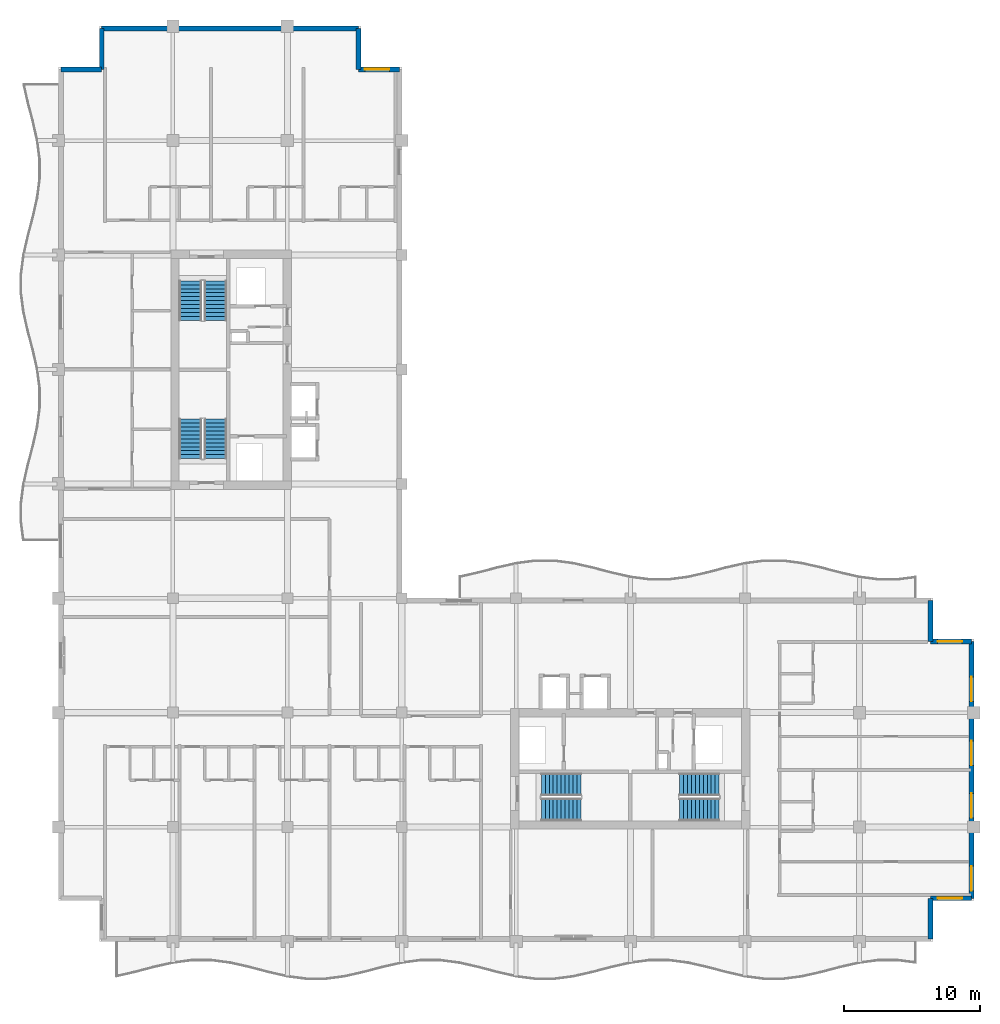
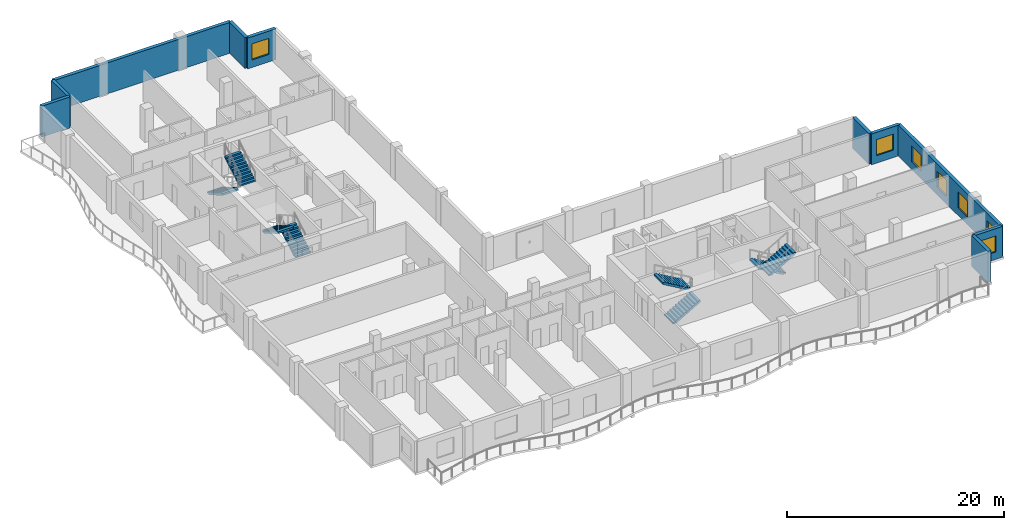
# One storey, part 8 of 12: 10 walls, 8 stair flights, 7 windows, 7 openings, 4 elements without a shape of their own.
"""IFC4 building model written with IfcOpenShell, lengths in metres."""

from ifc_helpers import new_model, si_unit, direction, frame, frame_2d, origin, place, context, subcontext, project, spatial, polyline, rectangle, outline, extrude, material, layer, layer_set, type_object, element, fill, aggregate, save


model = new_model("IFC4")

# Units and contexts
model_context = context("Model", 3, precision=1e-05, world=origin(), true_north=direction((0.0, 1.0)))
body_context = subcontext(model_context, "Body", "Model", "MODEL_VIEW")
ifc_project = project(units=[si_unit("LENGTHUNIT", "METRE"), si_unit("AREAUNIT", "SQUARE_METRE"), si_unit("VOLUMEUNIT", "CUBIC_METRE"), si_unit("PLANEANGLEUNIT", "RADIAN"), si_unit("MASSUNIT", "GRAM", prefix="KILO")], contexts=[model_context])

# Site, building, storey
site_placement = place(None, origin())
site = spatial("IfcSite", under=ifc_project, at=site_placement, CompositionType="ELEMENT")
building_placement = place(site_placement, origin())
building = spatial("IfcBuilding", under=site, at=building_placement, Name="Koriwani Terraces Tower", CompositionType="ELEMENT")
storey_placement = place(building_placement, frame((0.0, 0.0, 278.60009765625)))
storey = spatial("IfcBuildingStorey", under=building, at=storey_placement, Name="L69", CompositionType="ELEMENT", Elevation=278.60009765625)

# Walls
ifc_material_1 = material(Name="Concrete C50/60", Category="concrete")
ifc_layer = layer(ifc_material_1, 0.35009765625, Name="Concrete C50/60")
ifc_layer_set = layer_set([ifc_layer], Name="Concrete C50/60")
wall_type = type_object("IfcWallType", Name="WALL_EXT_BRUTALIST_350", PredefinedType="STANDARD", material=ifc_layer_set)
for number, where, z_axis, x_axis, name in (
    (1, (8.574951171875, 72.425048828125, 0.0), (0.0, 0.0, 1.0), (1.0, 0.0, 0.0), "L69 Fair-Faced Brutalist Exterior Wall (N3)"),
    (2, (11.574951171875, 72.425048828125, 0.0), (0.0, 0.0, 1.0), (0.0, 1.0, 0.0), "L69 Fair-Faced Brutalist Exterior Wall (N4)"),
):
    element("IfcWall", number, at=place(storey_placement, frame(where, z_axis=z_axis, x_axis=x_axis)), inside=storey, type_object=wall_type, Name=name, PredefinedType="STANDARD", context=body_context, shape_type="SweptSolid", body=[
        extrude(rectangle(XDim=3.0, YDim=0.35009765625, at=frame_2d((1.5, 0.0))), origin(), (0.0, 0.0, 1.0), 3.469970703125),
    ])
wall_1_placement = place(storey_placement, frame((11.574951171875, 75.425048828125, 0.0), z_axis=(0.0, 0.0, 1.0), x_axis=(1.0, 0.0, 0.0)))
element("IfcWall", 3, at=wall_1_placement, inside=storey, type_object=wall_type, Name="L69 Fair-Faced Brutalist Exterior Wall (N_TIP)", PredefinedType="STANDARD", context=body_context, shape_type="SweptSolid", body=[
    extrude(rectangle(XDim=18.85009765625, YDim=0.35009765625, at=frame_2d((9.425048828125, 0.0))), origin(), (0.0, 0.0, 1.0), 3.469970703125),
])
wall_2_placement = place(storey_placement, frame((30.425048828125, 75.425048828125, 0.0), z_axis=(0.0, 0.0, 1.0), x_axis=(0.0, -1.0, 0.0)))
element("IfcWall", 4, at=wall_2_placement, inside=storey, type_object=wall_type, Name="L69 Fair-Faced Brutalist Exterior Wall (N6)", PredefinedType="STANDARD", context=body_context, shape_type="SweptSolid", body=[
    extrude(rectangle(XDim=3.0, YDim=0.35009765625, at=frame_2d((1.5, 0.0))), origin(), (0.0, 0.0, 1.0), 3.469970703125),
])

# Wall, opening, window
wall_3_placement = place(storey_placement, frame((30.425048828125, 72.425048828125, 0.0), z_axis=(0.0, 0.0, 1.0), x_axis=(1.0, 0.0, 0.0)))
wall_3 = element("IfcWall", 5, at=wall_3_placement, inside=storey, type_object=wall_type, Name="L69 Fair-Faced Brutalist Exterior Wall (N7)", PredefinedType="STANDARD", context=body_context, shape_type="SweptSolid", body=[
    extrude(rectangle(XDim=3.0, YDim=0.35009765625, at=frame_2d((1.5, 0.0))), origin(), (0.0, 0.0, 1.0), 3.469970703125),
])
opening_1_placement = place(wall_3_placement, frame((0.472412109375, 0.0, 0.85009765625)))
opening_1 = element("IfcOpeningElement", 6, at=opening_1_placement, cuts=wall_3, Name="Opening W-04", PredefinedType="OPENING", context=body_context, shape_type="SweptSolid", body=[
    extrude(rectangle(XDim=1.800048828125, YDim=1.800048828125, at=frame_2d((0.89990234375, 0.89990234375))), frame((0.0, 0.18505859375, 0.0), z_axis=(0.0, -1.0, 0.0), x_axis=(1.0, 0.0, 0.0)), (0.0, 0.0, 1.0), 0.3701171875),
])
ifc_material_2 = material(Name="Tempered Laminated Low-E Glass", Category="glass")
window_type = type_object("IfcWindowType", Name="WIN_RES_BED_1800X1800", PartitioningType="DOUBLE_PANEL_VERTICAL", PredefinedType="WINDOW", material=ifc_material_2)
window_1_placement = place(opening_1_placement, origin())
window_1 = element("IfcWindow", 7, at=window_1_placement, inside=storey, type_object=window_type, Name="L69 Exterior Window (N7-R55)", OverallHeight=1.800048828125, OverallWidth=1.800048828125, PartitioningType="SINGLE_PANEL", PredefinedType="WINDOW", context=body_context, shape_type="SweptSolid", body=[
    extrude(rectangle(XDim=1.800048828125, YDim=1.800048828125, at=frame_2d((0.89990234375, 0.89990234375))), frame((0.0, 0.030029296875, 0.0), z_axis=(0.0, -1.0, 0.0), x_axis=(1.0, 0.0, 0.0)), (0.0, 0.0, 1.0), 0.06005859375),
])
fill(opening_1, window_1)

# Wall
wall_4_placement = place(storey_placement, frame((72.425048828125, 33.425048828125, 0.0), z_axis=(0.0, 0.0, 1.0), x_axis=(0.0, -1.0, 0.0)))
element("IfcWall", 8, at=wall_4_placement, inside=storey, type_object=wall_type, Name="L69 Fair-Faced Brutalist Exterior Wall (N10)", PredefinedType="STANDARD", context=body_context, shape_type="SweptSolid", body=[
    extrude(rectangle(XDim=3.0, YDim=0.35009765625, at=frame_2d((1.5, 0.0))), origin(), (0.0, 0.0, 1.0), 3.469970703125),
])

# Wall, opening, window
wall_5_placement = place(storey_placement, frame((72.425048828125, 30.425048828125, 0.0), z_axis=(0.0, 0.0, 1.0), x_axis=(1.0, 0.0, 0.0)))
wall_5 = element("IfcWall", 9, at=wall_5_placement, inside=storey, type_object=wall_type, Name="L69 Fair-Faced Brutalist Exterior Wall (N11)", PredefinedType="STANDARD", context=body_context, shape_type="SweptSolid", body=[
    extrude(rectangle(XDim=3.0, YDim=0.35009765625, at=frame_2d((1.5, 0.0))), origin(), (0.0, 0.0, 1.0), 3.469970703125),
])
opening_2_placement = place(wall_5_placement, frame((0.507568359375, 0.0, 0.85009765625)))
opening_2 = element("IfcOpeningElement", 10, at=opening_2_placement, cuts=wall_5, Name="Opening W-04", PredefinedType="OPENING", context=body_context, shape_type="SweptSolid", body=[
    extrude(rectangle(XDim=1.800048828125, YDim=1.800048828125, at=frame_2d((0.89990234375, 0.89990234375))), frame((0.0, 0.18505859375, 0.0), z_axis=(0.0, -1.0, 0.0), x_axis=(1.0, 0.0, 0.0)), (0.0, 0.0, 1.0), 0.3701171875),
])
window_2_placement = place(opening_2_placement, origin())
window_2 = element("IfcWindow", 11, at=window_2_placement, inside=storey, type_object=window_type, Name="L69 Exterior Window (N11-R63)", OverallHeight=1.800048828125, OverallWidth=1.800048828125, PartitioningType="SINGLE_PANEL", PredefinedType="WINDOW", context=body_context, shape_type="SweptSolid", body=[
    extrude(rectangle(XDim=1.800048828125, YDim=1.800048828125, at=frame_2d((0.89990234375, 0.89990234375))), frame((0.0, 0.030029296875, 0.0), z_axis=(0.0, -1.0, 0.0), x_axis=(1.0, 0.0, 0.0)), (0.0, 0.0, 1.0), 0.06005859375),
])
fill(opening_2, window_2)

# Wall, openings, windows
wall_6_placement = place(storey_placement, frame((75.425048828125, 30.425048828125, 0.0), z_axis=(0.0, 0.0, 1.0), x_axis=(0.0, -1.0, 0.0)))
wall_6 = element("IfcWall", 12, at=wall_6_placement, inside=storey, type_object=wall_type, Name="L69 Fair-Faced Brutalist Exterior Wall (E_TIP)", PredefinedType="STANDARD", context=body_context, shape_type="SweptSolid", body=[
    extrude(rectangle(XDim=18.85009765625, YDim=0.35009765625, at=frame_2d((9.425048828125, 0.0))), origin(), (0.0, 0.0, 1.0), 3.469970703125),
])
opening_3_placement = place(wall_6_placement, frame((16.5, 0.0, 0.85009765625)))
opening_3 = element("IfcOpeningElement", 13, at=opening_3_placement, cuts=wall_6, Name="Opening W-04", PredefinedType="OPENING", context=body_context, shape_type="SweptSolid", body=[
    extrude(rectangle(XDim=1.800048828125, YDim=1.800048828125, at=frame_2d((0.89990234375, 0.89990234375))), frame((0.0, 0.18505859375, 0.0), z_axis=(0.0, -1.0, 0.0), x_axis=(1.0, 0.0, 0.0)), (0.0, 0.0, 1.0), 0.3701171875),
])
opening_4_placement = place(wall_6_placement, frame((11.14990234375, 0.0, 0.85009765625)))
opening_4 = element("IfcOpeningElement", 14, at=opening_4_placement, cuts=wall_6, Name="Opening W-04", PredefinedType="OPENING", context=body_context, shape_type="SweptSolid", body=[
    extrude(rectangle(XDim=1.800048828125, YDim=1.800048828125, at=frame_2d((0.89990234375, 0.89990234375))), frame((0.0, 0.18505859375, 0.0), z_axis=(0.0, -1.0, 0.0), x_axis=(1.0, 0.0, 0.0)), (0.0, 0.0, 1.0), 0.3701171875),
])
opening_5_placement = place(wall_6_placement, frame((7.300048828125, 0.0, 0.85009765625)))
opening_5 = element("IfcOpeningElement", 15, at=opening_5_placement, cuts=wall_6, Name="Opening W-04", PredefinedType="OPENING", context=body_context, shape_type="SweptSolid", body=[
    extrude(rectangle(XDim=1.800048828125, YDim=1.800048828125, at=frame_2d((0.89990234375, 0.89990234375))), frame((0.0, 0.18505859375, 0.0), z_axis=(0.0, -1.0, 0.0), x_axis=(1.0, 0.0, 0.0)), (0.0, 0.0, 1.0), 0.3701171875),
])
opening_6_placement = place(wall_6_placement, frame((2.60009765625, 0.0, 0.85009765625)))
opening_6 = element("IfcOpeningElement", 16, at=opening_6_placement, cuts=wall_6, Name="Opening W-04", PredefinedType="OPENING", context=body_context, shape_type="SweptSolid", body=[
    extrude(rectangle(XDim=1.800048828125, YDim=1.800048828125, at=frame_2d((0.89990234375, 0.89990234375))), frame((0.0, 0.18505859375, 0.0), z_axis=(0.0, -1.0, 0.0), x_axis=(1.0, 0.0, 0.0)), (0.0, 0.0, 1.0), 0.3701171875),
])
window_3_placement = place(opening_3_placement, origin())
window_3 = element("IfcWindow", 17, at=window_3_placement, inside=storey, type_object=window_type, Name="L69 Exterior Window (E_TIP-R58)", OverallHeight=1.800048828125, OverallWidth=1.800048828125, PartitioningType="SINGLE_PANEL", PredefinedType="WINDOW", context=body_context, shape_type="SweptSolid", body=[
    extrude(rectangle(XDim=1.800048828125, YDim=1.800048828125, at=frame_2d((0.89990234375, 0.89990234375))), frame((0.0, 0.030029296875, 0.0), z_axis=(0.0, -1.0, 0.0), x_axis=(1.0, 0.0, 0.0)), (0.0, 0.0, 1.0), 0.06005859375),
])
fill(opening_3, window_3)
window_4_placement = place(opening_4_placement, origin())
window_4 = element("IfcWindow", 18, at=window_4_placement, inside=storey, type_object=window_type, Name="L69 Exterior Window (E_TIP-R59)", OverallHeight=1.800048828125, OverallWidth=1.800048828125, PartitioningType="SINGLE_PANEL", PredefinedType="WINDOW", context=body_context, shape_type="SweptSolid", body=[
    extrude(rectangle(XDim=1.800048828125, YDim=1.800048828125, at=frame_2d((0.89990234375, 0.89990234375))), frame((0.0, 0.030029296875, 0.0), z_axis=(0.0, -1.0, 0.0), x_axis=(1.0, 0.0, 0.0)), (0.0, 0.0, 1.0), 0.06005859375),
])
fill(opening_4, window_4)
window_5_placement = place(opening_5_placement, origin())
window_5 = element("IfcWindow", 19, at=window_5_placement, inside=storey, type_object=window_type, Name="L69 Exterior Window (E_TIP-R62)", OverallHeight=1.800048828125, OverallWidth=1.800048828125, PartitioningType="SINGLE_PANEL", PredefinedType="WINDOW", context=body_context, shape_type="SweptSolid", body=[
    extrude(rectangle(XDim=1.800048828125, YDim=1.800048828125, at=frame_2d((0.89990234375, 0.89990234375))), frame((0.0, 0.030029296875, 0.0), z_axis=(0.0, -1.0, 0.0), x_axis=(1.0, 0.0, 0.0)), (0.0, 0.0, 1.0), 0.06005859375),
])
fill(opening_5, window_5)
window_6_placement = place(opening_6_placement, origin())
window_6 = element("IfcWindow", 20, at=window_6_placement, inside=storey, type_object=window_type, Name="L69 Exterior Window (E_TIP-R63)", OverallHeight=1.800048828125, OverallWidth=1.800048828125, PartitioningType="SINGLE_PANEL", PredefinedType="WINDOW", context=body_context, shape_type="SweptSolid", body=[
    extrude(rectangle(XDim=1.800048828125, YDim=1.800048828125, at=frame_2d((0.89990234375, 0.89990234375))), frame((0.0, 0.030029296875, 0.0), z_axis=(0.0, -1.0, 0.0), x_axis=(1.0, 0.0, 0.0)), (0.0, 0.0, 1.0), 0.06005859375),
])
fill(opening_6, window_6)

# Wall, opening, window
wall_7_placement = place(storey_placement, frame((75.425048828125, 11.574951171875, 0.0), z_axis=(0.0, 0.0, 1.0), x_axis=(-1.0, 0.0, 0.0)))
wall_7 = element("IfcWall", 21, at=wall_7_placement, inside=storey, type_object=wall_type, Name="L69 Fair-Faced Brutalist Exterior Wall (N13)", PredefinedType="STANDARD", context=body_context, shape_type="SweptSolid", body=[
    extrude(rectangle(XDim=3.0, YDim=0.35009765625, at=frame_2d((1.5, 0.0))), origin(), (0.0, 0.0, 1.0), 3.469970703125),
])
opening_7_placement = place(wall_7_placement, frame((0.6923828125, 0.0, 0.85009765625)))
opening_7 = element("IfcOpeningElement", 22, at=opening_7_placement, cuts=wall_7, Name="Opening W-04", PredefinedType="OPENING", context=body_context, shape_type="SweptSolid", body=[
    extrude(rectangle(XDim=1.800048828125, YDim=1.800048828125, at=frame_2d((0.89990234375, 0.89990234375))), frame((0.0, 0.18505859375, 0.0), z_axis=(0.0, -1.0, 0.0), x_axis=(1.0, 0.0, 0.0)), (0.0, 0.0, 1.0), 0.3701171875),
])
window_7_placement = place(opening_7_placement, origin())
window_7 = element("IfcWindow", 23, at=window_7_placement, inside=storey, type_object=window_type, Name="L69 Exterior Window (N13-R58)", OverallHeight=1.800048828125, OverallWidth=1.800048828125, PartitioningType="SINGLE_PANEL", PredefinedType="WINDOW", context=body_context, shape_type="SweptSolid", body=[
    extrude(rectangle(XDim=1.800048828125, YDim=1.800048828125, at=frame_2d((0.89990234375, 0.89990234375))), frame((0.0, 0.030029296875, 0.0), z_axis=(0.0, -1.0, 0.0), x_axis=(1.0, 0.0, 0.0)), (0.0, 0.0, 1.0), 0.06005859375),
])
fill(opening_7, window_7)

# Wall
wall_8_placement = place(storey_placement, frame((72.425048828125, 11.574951171875, 0.0), z_axis=(0.0, 0.0, 1.0), x_axis=(0.0, -1.0, 0.0)))
element("IfcWall", 24, at=wall_8_placement, inside=storey, type_object=wall_type, Name="L69 Fair-Faced Brutalist Exterior Wall (N14)", PredefinedType="STANDARD", context=body_context, shape_type="SweptSolid", body=[
    extrude(rectangle(XDim=3.0, YDim=0.35009765625, at=frame_2d((1.5, 0.0))), origin(), (0.0, 0.0, 1.0), 3.469970703125),
])

# Stair, stair flights
ifc_material_3 = material(Name="Concrete C40/50", Category="concrete")
stair_type = type_object("IfcStairType", Name="STAIR_CORE_DOGLEG_1650", PredefinedType="TWO_STRAIGHT_RUN_STAIR", material=ifc_material_3)
stair_1_placement = place(storey_placement, origin())
stair_1 = element("IfcStair", 25, at=stair_1_placement, inside=storey, type_object=stair_type, Name="L69 West Core Exit Stair 1", PredefinedType="HALF_TURN_STAIR")
stair_flight_type = type_object("IfcStairFlightType", Name="STAIR_FLIGHT_RC_1650", PredefinedType="STRAIGHT", material=ifc_material_3)
stair_flight_1_placement = place(storey_placement, frame((19.925048828125, 43.85009765625, 0.0), z_axis=(0.0, 0.0, 1.0), x_axis=(0.0, 1.0, 0.0)))
stair_flight_1 = element("IfcStairFlight", 26, at=stair_flight_1_placement, type_object=stair_flight_type, Name="ST-W1 flight 1", NumberOfRisers=11, NumberOfTreads=10, PredefinedType="STRAIGHT", RiserHeight=0.168181818, TreadLength=0.29, context=body_context, shape_type="SweptSolid", body=[
    extrude(outline(polyline([(0.0, 0.0), (0.0, 0.168212890625), (0.2900390625, 0.168212890625), (0.2900390625, 0.33642578125), (0.580078125, 0.33642578125), (0.580078125, 0.504638671875), (0.8701171875, 0.504638671875), (0.8701171875, 0.672607421875), (1.159912109375, 0.672607421875), (1.159912109375, 0.8408203125), (1.449951171875, 0.8408203125), (1.449951171875, 1.009033203125), (1.739990234375, 1.009033203125), (1.739990234375, 1.17724609375), (2.030029296875, 1.17724609375), (2.030029296875, 1.345458984375), (2.320068359375, 1.345458984375), (2.320068359375, 1.513671875), (2.610107421875, 1.513671875), (2.610107421875, 1.681884765625), (2.89990234375, 1.681884765625), (2.89990234375, 1.85009765625), (2.89990234375, 1.473876953125), (0.358642578125, 0.0), (0.0, 0.0)])), frame((0.0, 0.824951171875, 0.0), z_axis=(0.0, -1.0, 0.0), x_axis=(1.0, 0.0, 0.0)), (0.0, 0.0, 1.0), 1.64990234375),
])
stair_flight_2_placement = place(storey_placement, frame((18.074951171875, 46.75, 1.849853515625), z_axis=(0.0, 0.0, 1.0), x_axis=(0.0, -1.0, 0.0)))
stair_flight_2 = element("IfcStairFlight", 27, at=stair_flight_2_placement, type_object=stair_flight_type, Name="ST-W1 flight 2", NumberOfRisers=11, NumberOfTreads=10, PredefinedType="STRAIGHT", RiserHeight=0.168181818, TreadLength=0.29, context=body_context, shape_type="SweptSolid", body=[
    extrude(outline(polyline([(0.0, 0.0), (0.0, 0.168212890625), (0.2900390625, 0.168212890625), (0.2900390625, 0.33642578125), (0.580078125, 0.33642578125), (0.580078125, 0.504638671875), (0.8701171875, 0.504638671875), (0.8701171875, 0.672607421875), (1.159912109375, 0.672607421875), (1.159912109375, 0.8408203125), (1.449951171875, 0.8408203125), (1.449951171875, 1.009033203125), (1.739990234375, 1.009033203125), (1.739990234375, 1.17724609375), (2.030029296875, 1.17724609375), (2.030029296875, 1.345458984375), (2.320068359375, 1.345458984375), (2.320068359375, 1.513671875), (2.610107421875, 1.513671875), (2.610107421875, 1.681884765625), (2.89990234375, 1.681884765625), (2.89990234375, 1.85009765625), (2.89990234375, 1.473876953125), (0.358642578125, 0.0), (0.0, 0.0)])), frame((0.0, 0.824951171875, 0.0), z_axis=(0.0, -1.0, 0.0), x_axis=(1.0, 0.0, 0.0)), (0.0, 0.0, 1.0), 1.64990234375),
])
aggregate(stair_1, [stair_flight_1, stair_flight_2])

stair_2_placement = place(storey_placement, origin())
stair_2 = element("IfcStair", 28, at=stair_2_placement, inside=storey, type_object=stair_type, Name="L69 West Core Exit Stair 2", PredefinedType="HALF_TURN_STAIR")
stair_flight_3_placement = place(storey_placement, frame((18.074951171875, 56.89990234375, 0.0), z_axis=(0.0, 0.0, 1.0), x_axis=(0.0, -1.0, 0.0)))
stair_flight_3 = element("IfcStairFlight", 29, at=stair_flight_3_placement, type_object=stair_flight_type, Name="ST-W2 flight 1", NumberOfRisers=11, NumberOfTreads=10, PredefinedType="STRAIGHT", RiserHeight=0.168181818, TreadLength=0.29, context=body_context, shape_type="SweptSolid", body=[
    extrude(outline(polyline([(0.0, 0.0), (0.0, 0.168212890625), (0.2900390625, 0.168212890625), (0.2900390625, 0.33642578125), (0.580078125, 0.33642578125), (0.580078125, 0.504638671875), (0.8701171875, 0.504638671875), (0.8701171875, 0.672607421875), (1.159912109375, 0.672607421875), (1.159912109375, 0.8408203125), (1.449951171875, 0.8408203125), (1.449951171875, 1.009033203125), (1.739990234375, 1.009033203125), (1.739990234375, 1.17724609375), (2.030029296875, 1.17724609375), (2.030029296875, 1.345458984375), (2.320068359375, 1.345458984375), (2.320068359375, 1.513671875), (2.610107421875, 1.513671875), (2.610107421875, 1.681884765625), (2.89990234375, 1.681884765625), (2.89990234375, 1.85009765625), (2.89990234375, 1.473876953125), (0.358642578125, 0.0), (0.0, 0.0)])), frame((0.0, 0.824951171875, 0.0), z_axis=(0.0, -1.0, 0.0), x_axis=(1.0, 0.0, 0.0)), (0.0, 0.0, 1.0), 1.64990234375),
])
stair_flight_4_placement = place(storey_placement, frame((19.925048828125, 54.0, 1.849853515625), z_axis=(0.0, 0.0, 1.0), x_axis=(0.0, 1.0, 0.0)))
stair_flight_4 = element("IfcStairFlight", 30, at=stair_flight_4_placement, type_object=stair_flight_type, Name="ST-W2 flight 2", NumberOfRisers=11, NumberOfTreads=10, PredefinedType="STRAIGHT", RiserHeight=0.168181818, TreadLength=0.29, context=body_context, shape_type="SweptSolid", body=[
    extrude(outline(polyline([(0.0, 0.0), (0.0, 0.168212890625), (0.2900390625, 0.168212890625), (0.2900390625, 0.33642578125), (0.580078125, 0.33642578125), (0.580078125, 0.504638671875), (0.8701171875, 0.504638671875), (0.8701171875, 0.672607421875), (1.159912109375, 0.672607421875), (1.159912109375, 0.8408203125), (1.449951171875, 0.8408203125), (1.449951171875, 1.009033203125), (1.739990234375, 1.009033203125), (1.739990234375, 1.17724609375), (2.030029296875, 1.17724609375), (2.030029296875, 1.345458984375), (2.320068359375, 1.345458984375), (2.320068359375, 1.513671875), (2.610107421875, 1.513671875), (2.610107421875, 1.681884765625), (2.89990234375, 1.681884765625), (2.89990234375, 1.85009765625), (2.89990234375, 1.473876953125), (0.358642578125, 0.0), (0.0, 0.0)])), frame((0.0, 0.824951171875, 0.0), z_axis=(0.0, -1.0, 0.0), x_axis=(1.0, 0.0, 0.0)), (0.0, 0.0, 1.0), 1.64990234375),
])
aggregate(stair_2, [stair_flight_3, stair_flight_4])

stair_3_placement = place(storey_placement, origin())
stair_3 = element("IfcStair", 31, at=stair_3_placement, inside=storey, type_object=stair_type, Name="L69 East Core Exit Stair 1", PredefinedType="HALF_TURN_STAIR")
stair_flight_5_placement = place(storey_placement, frame((43.85009765625, 18.074951171875, 0.0), z_axis=(0.0, 0.0, 1.0), x_axis=(1.0, 0.0, 0.0)))
stair_flight_5 = element("IfcStairFlight", 32, at=stair_flight_5_placement, type_object=stair_flight_type, Name="ST-E1 flight 1", NumberOfRisers=11, NumberOfTreads=10, PredefinedType="STRAIGHT", RiserHeight=0.168181818, TreadLength=0.29, context=body_context, shape_type="SweptSolid", body=[
    extrude(outline(polyline([(0.0, 0.0), (0.0, 0.168212890625), (0.2900390625, 0.168212890625), (0.2900390625, 0.33642578125), (0.580078125, 0.33642578125), (0.580078125, 0.504638671875), (0.8701171875, 0.504638671875), (0.8701171875, 0.672607421875), (1.159912109375, 0.672607421875), (1.159912109375, 0.8408203125), (1.449951171875, 0.8408203125), (1.449951171875, 1.009033203125), (1.739990234375, 1.009033203125), (1.739990234375, 1.17724609375), (2.030029296875, 1.17724609375), (2.030029296875, 1.345458984375), (2.320068359375, 1.345458984375), (2.320068359375, 1.513671875), (2.610107421875, 1.513671875), (2.610107421875, 1.681884765625), (2.89990234375, 1.681884765625), (2.89990234375, 1.85009765625), (2.89990234375, 1.473876953125), (0.358642578125, 0.0), (0.0, 0.0)])), frame((0.0, 0.824951171875, 0.0), z_axis=(0.0, -1.0, 0.0), x_axis=(1.0, 0.0, 0.0)), (0.0, 0.0, 1.0), 1.64990234375),
])
stair_flight_6_placement = place(storey_placement, frame((46.75, 19.925048828125, 1.849853515625), z_axis=(0.0, 0.0, 1.0), x_axis=(-1.0, 0.0, 0.0)))
stair_flight_6 = element("IfcStairFlight", 33, at=stair_flight_6_placement, type_object=stair_flight_type, Name="ST-E1 flight 2", NumberOfRisers=11, NumberOfTreads=10, PredefinedType="STRAIGHT", RiserHeight=0.168181818, TreadLength=0.29, context=body_context, shape_type="SweptSolid", body=[
    extrude(outline(polyline([(0.0, 0.0), (0.0, 0.168212890625), (0.2900390625, 0.168212890625), (0.2900390625, 0.33642578125), (0.580078125, 0.33642578125), (0.580078125, 0.504638671875), (0.8701171875, 0.504638671875), (0.8701171875, 0.672607421875), (1.159912109375, 0.672607421875), (1.159912109375, 0.8408203125), (1.449951171875, 0.8408203125), (1.449951171875, 1.009033203125), (1.739990234375, 1.009033203125), (1.739990234375, 1.17724609375), (2.030029296875, 1.17724609375), (2.030029296875, 1.345458984375), (2.320068359375, 1.345458984375), (2.320068359375, 1.513671875), (2.610107421875, 1.513671875), (2.610107421875, 1.681884765625), (2.89990234375, 1.681884765625), (2.89990234375, 1.85009765625), (2.89990234375, 1.473876953125), (0.358642578125, 0.0), (0.0, 0.0)])), frame((0.0, 0.824951171875, 0.0), z_axis=(0.0, -1.0, 0.0), x_axis=(1.0, 0.0, 0.0)), (0.0, 0.0, 1.0), 1.64990234375),
])
aggregate(stair_3, [stair_flight_5, stair_flight_6])

stair_4_placement = place(storey_placement, origin())
stair_4 = element("IfcStair", 34, at=stair_4_placement, inside=storey, type_object=stair_type, Name="L69 East Core Exit Stair 2", PredefinedType="HALF_TURN_STAIR")
stair_flight_7_placement = place(storey_placement, frame((56.89990234375, 19.925048828125, 0.0), z_axis=(0.0, 0.0, 1.0), x_axis=(-1.0, 0.0, 0.0)))
stair_flight_7 = element("IfcStairFlight", 35, at=stair_flight_7_placement, type_object=stair_flight_type, Name="ST-E2 flight 1", NumberOfRisers=11, NumberOfTreads=10, PredefinedType="STRAIGHT", RiserHeight=0.168181818, TreadLength=0.29, context=body_context, shape_type="SweptSolid", body=[
    extrude(outline(polyline([(0.0, 0.0), (0.0, 0.168212890625), (0.2900390625, 0.168212890625), (0.2900390625, 0.33642578125), (0.580078125, 0.33642578125), (0.580078125, 0.504638671875), (0.8701171875, 0.504638671875), (0.8701171875, 0.672607421875), (1.159912109375, 0.672607421875), (1.159912109375, 0.8408203125), (1.449951171875, 0.8408203125), (1.449951171875, 1.009033203125), (1.739990234375, 1.009033203125), (1.739990234375, 1.17724609375), (2.030029296875, 1.17724609375), (2.030029296875, 1.345458984375), (2.320068359375, 1.345458984375), (2.320068359375, 1.513671875), (2.610107421875, 1.513671875), (2.610107421875, 1.681884765625), (2.89990234375, 1.681884765625), (2.89990234375, 1.85009765625), (2.89990234375, 1.473876953125), (0.358642578125, 0.0), (0.0, 0.0)])), frame((0.0, 0.824951171875, 0.0), z_axis=(0.0, -1.0, 0.0), x_axis=(1.0, 0.0, 0.0)), (0.0, 0.0, 1.0), 1.64990234375),
])
stair_flight_8_placement = place(storey_placement, frame((54.0, 18.074951171875, 1.849853515625), z_axis=(0.0, 0.0, 1.0), x_axis=(1.0, 0.0, 0.0)))
stair_flight_8 = element("IfcStairFlight", 36, at=stair_flight_8_placement, type_object=stair_flight_type, Name="ST-E2 flight 2", NumberOfRisers=11, NumberOfTreads=10, PredefinedType="STRAIGHT", RiserHeight=0.168181818, TreadLength=0.29, context=body_context, shape_type="SweptSolid", body=[
    extrude(outline(polyline([(0.0, 0.0), (0.0, 0.168212890625), (0.2900390625, 0.168212890625), (0.2900390625, 0.33642578125), (0.580078125, 0.33642578125), (0.580078125, 0.504638671875), (0.8701171875, 0.504638671875), (0.8701171875, 0.672607421875), (1.159912109375, 0.672607421875), (1.159912109375, 0.8408203125), (1.449951171875, 0.8408203125), (1.449951171875, 1.009033203125), (1.739990234375, 1.009033203125), (1.739990234375, 1.17724609375), (2.030029296875, 1.17724609375), (2.030029296875, 1.345458984375), (2.320068359375, 1.345458984375), (2.320068359375, 1.513671875), (2.610107421875, 1.513671875), (2.610107421875, 1.681884765625), (2.89990234375, 1.681884765625), (2.89990234375, 1.85009765625), (2.89990234375, 1.473876953125), (0.358642578125, 0.0), (0.0, 0.0)])), frame((0.0, 0.824951171875, 0.0), z_axis=(0.0, -1.0, 0.0), x_axis=(1.0, 0.0, 0.0)), (0.0, 0.0, 1.0), 1.64990234375),
])
aggregate(stair_4, [stair_flight_7, stair_flight_8])

save(model, "model.ifc")
